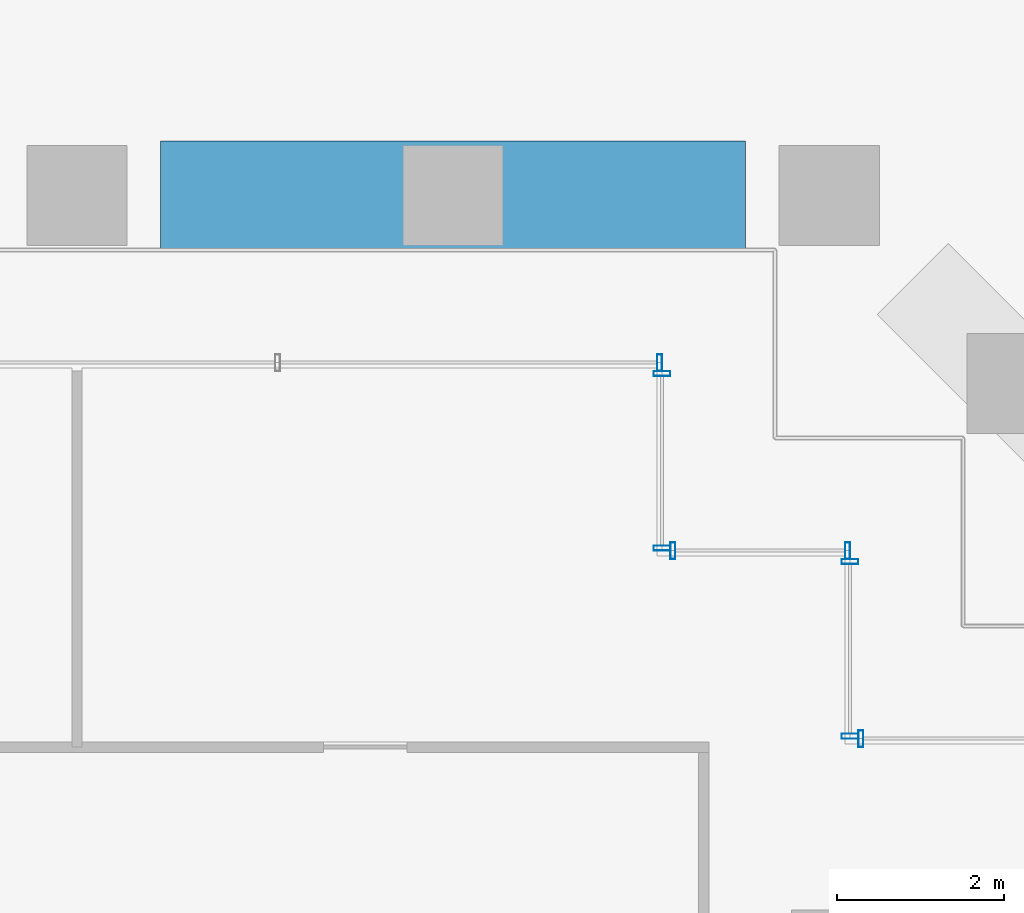
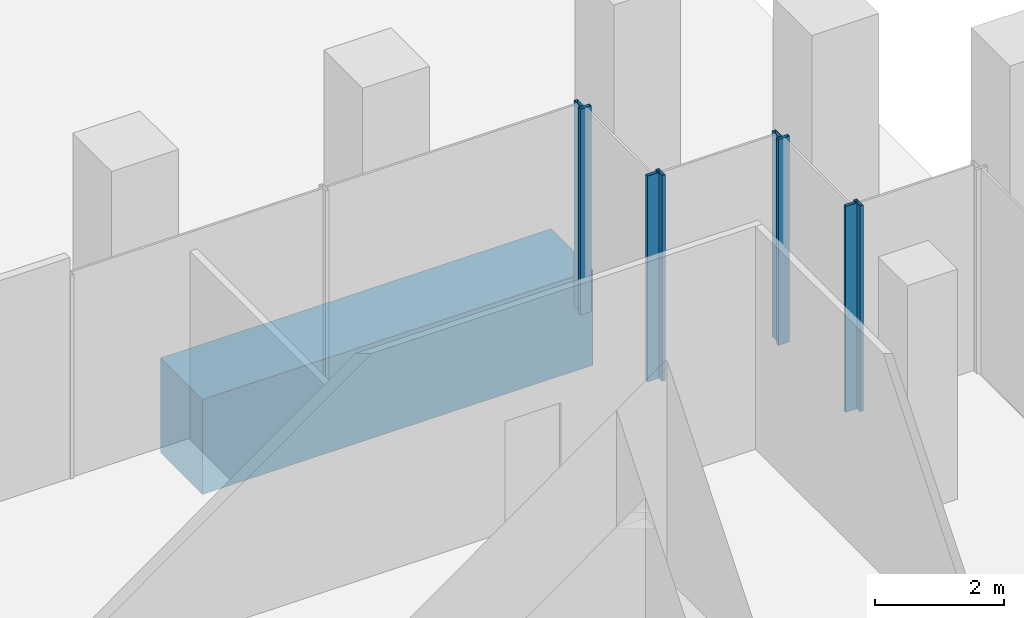
# One storey, part 20 of 32: 8 members, 1 beam, 5 elements without a shape of their own.
"""IFC4 building model written with IfcOpenShell, lengths in metres."""

from ifc_helpers import new_model, si_unit, direction, frame, origin, origin_2d, place, context, subcontext, project, spatial, rectangle, hollow_rectangle, extrude, material, material_profile, profile_set, type_object, element, aggregate, save


model = new_model("IFC4")

# Units and contexts
model_context = context("Model", 3, precision=1e-05, world=origin(), true_north=direction((0.0, 1.0)))
body_context = subcontext(model_context, "Body", "Model", "MODEL_VIEW")
ifc_project = project(units=[si_unit("LENGTHUNIT", "METRE"), si_unit("AREAUNIT", "SQUARE_METRE"), si_unit("VOLUMEUNIT", "CUBIC_METRE"), si_unit("PLANEANGLEUNIT", "RADIAN"), si_unit("MASSUNIT", "GRAM", prefix="KILO")], contexts=[model_context])

# Site, building, storey
site_placement = place(None, origin())
site = spatial("IfcSite", under=ifc_project, at=site_placement, CompositionType="ELEMENT")
building_placement = place(site_placement, origin())
building = spatial("IfcBuilding", under=site, at=building_placement, Name="Altepetl Exchange Towers", CompositionType="ELEMENT")
storey_placement = place(building_placement, frame((0.0, 0.0, 21.0)))
storey = spatial("IfcBuildingStorey", under=building, at=storey_placement, Name="L04", CompositionType="ELEMENT", Elevation=21.0)

# Curtain wall, member
ifc_material_1 = material(Name="Aluminium 6063-T6 glazing", Category="aluminium")
curtain_wall_type = type_object("IfcCurtainWallType", Name="Trading floor glazing system", PredefinedType="NOTDEFINED", material=ifc_material_1)
curtain_wall_1_placement = place(storey_placement, origin())
curtain_wall_1 = element("IfcCurtainWall", 1, at=curtain_wall_1_placement, inside=storey, type_object=curtain_wall_type, Name="CW2 run", PredefinedType="NOTDEFINED")
ifc_material_2 = material(Name="Aluminium 6063-T6", Category="aluminium")
ifc_material_profile_1 = material_profile(ifc_material_2, hollow_rectangle(XDim=0.06005859375, YDim=0.199951171875, WallThickness=0.0029296875, at=origin_2d()), Name="Mullion 60x200 aluminium")
ifc_profile_set_1 = profile_set([ifc_material_profile_1], Name="Aluminium 6063-T6")
member_type = type_object("IfcMemberType", Name="Mullion 60x200 aluminium", PredefinedType="MULLION", material=ifc_profile_set_1)
member_1_placement = place(storey_placement, frame((121.8798828125, 52.0, 0.0), z_axis=(0.0, 0.0, 1.0), x_axis=(-1.0, 0.0, 0.0)))
member_1 = element("IfcMember", 2, at=member_1_placement, type_object=member_type, Name="MU2 mullion", PredefinedType="MULLION", context=body_context, shape_type="SweptSolid", body=[
    extrude(hollow_rectangle(XDim=0.06005859375, YDim=0.199951171875, WallThickness=0.0029296875, at=origin_2d()), origin(), (0.0, 0.0, 1.0), 3.89990234375),
])
aggregate(curtain_wall_1, [member_1])

# Curtain wall, members
curtain_wall_2_placement = place(storey_placement, origin())
curtain_wall_2 = element("IfcCurtainWall", 3, at=curtain_wall_2_placement, inside=storey, type_object=curtain_wall_type, Name="CW2 run", PredefinedType="NOTDEFINED")
member_2_placement = place(storey_placement, frame((121.75, 52.030029296875, 0.0), z_axis=(0.0, 0.0, 1.0), x_axis=(0.0, 1.0, 0.0)))
member_2 = element("IfcMember", 4, at=member_2_placement, type_object=member_type, Name="MU2 mullion", PredefinedType="MULLION", context=body_context, shape_type="SweptSolid", body=[
    extrude(hollow_rectangle(XDim=0.06005859375, YDim=0.199951171875, WallThickness=0.0029296875, at=origin_2d()), origin(), (0.0, 0.0, 1.0), 3.89990234375),
])
member_3_placement = place(storey_placement, frame((121.75, 54.1201171875, 0.0), z_axis=(0.0, 0.0, 1.0), x_axis=(0.0, 1.0, 0.0)))
member_3 = element("IfcMember", 5, at=member_3_placement, type_object=member_type, Name="MU2 mullion", PredefinedType="MULLION", context=body_context, shape_type="SweptSolid", body=[
    extrude(hollow_rectangle(XDim=0.06005859375, YDim=0.199951171875, WallThickness=0.0029296875, at=origin_2d()), origin(), (0.0, 0.0, 1.0), 3.89990234375),
])
aggregate(curtain_wall_2, [member_2, member_3])

curtain_wall_3_placement = place(storey_placement, origin())
curtain_wall_3 = element("IfcCurtainWall", 6, at=curtain_wall_3_placement, inside=storey, type_object=curtain_wall_type, Name="CW2 run", PredefinedType="NOTDEFINED")
member_4_placement = place(storey_placement, frame((121.719970703125, 54.25, 0.0), z_axis=(0.0, 0.0, 1.0), x_axis=(-1.0, 0.0, 0.0)))
member_4 = element("IfcMember", 7, at=member_4_placement, type_object=member_type, Name="MU2 mullion", PredefinedType="MULLION", context=body_context, shape_type="SweptSolid", body=[
    extrude(hollow_rectangle(XDim=0.06005859375, YDim=0.199951171875, WallThickness=0.0029296875, at=origin_2d()), origin(), (0.0, 0.0, 1.0), 3.89990234375),
])
member_5_placement = place(storey_placement, frame((119.6298828125, 54.25, 0.0), z_axis=(0.0, 0.0, 1.0), x_axis=(-1.0, 0.0, 0.0)))
member_5 = element("IfcMember", 8, at=member_5_placement, type_object=member_type, Name="MU2 mullion", PredefinedType="MULLION", context=body_context, shape_type="SweptSolid", body=[
    extrude(hollow_rectangle(XDim=0.06005859375, YDim=0.199951171875, WallThickness=0.0029296875, at=origin_2d()), origin(), (0.0, 0.0, 1.0), 3.89990234375),
])
aggregate(curtain_wall_3, [member_4, member_5])

curtain_wall_4_placement = place(storey_placement, origin())
curtain_wall_4 = element("IfcCurtainWall", 9, at=curtain_wall_4_placement, inside=storey, type_object=curtain_wall_type, Name="CW2 run", PredefinedType="NOTDEFINED")
member_6_placement = place(storey_placement, frame((119.5, 54.280029296875, 0.0), z_axis=(0.0, 0.0, 1.0), x_axis=(0.0, 1.0, 0.0)))
member_6 = element("IfcMember", 10, at=member_6_placement, type_object=member_type, Name="MU2 mullion", PredefinedType="MULLION", context=body_context, shape_type="SweptSolid", body=[
    extrude(hollow_rectangle(XDim=0.06005859375, YDim=0.199951171875, WallThickness=0.0029296875, at=origin_2d()), origin(), (0.0, 0.0, 1.0), 3.89990234375),
])
member_7_placement = place(storey_placement, frame((119.5, 56.3701171875, 0.0), z_axis=(0.0, 0.0, 1.0), x_axis=(0.0, 1.0, 0.0)))
member_7 = element("IfcMember", 11, at=member_7_placement, type_object=member_type, Name="MU2 mullion", PredefinedType="MULLION", context=body_context, shape_type="SweptSolid", body=[
    extrude(hollow_rectangle(XDim=0.06005859375, YDim=0.199951171875, WallThickness=0.0029296875, at=origin_2d()), origin(), (0.0, 0.0, 1.0), 3.89990234375),
])
aggregate(curtain_wall_4, [member_6, member_7])

# Curtain wall, member
curtain_wall_5_placement = place(storey_placement, origin())
curtain_wall_5 = element("IfcCurtainWall", 12, at=curtain_wall_5_placement, inside=storey, type_object=curtain_wall_type, Name="CW2 run", PredefinedType="NOTDEFINED")
member_8_placement = place(storey_placement, frame((119.469970703125, 56.5, 0.0), z_axis=(0.0, 0.0, 1.0), x_axis=(-1.0, 0.0, 0.0)))
member_8 = element("IfcMember", 13, at=member_8_placement, type_object=member_type, Name="MU2 mullion", PredefinedType="MULLION", context=body_context, shape_type="SweptSolid", body=[
    extrude(hollow_rectangle(XDim=0.06005859375, YDim=0.199951171875, WallThickness=0.0029296875, at=origin_2d()), origin(), (0.0, 0.0, 1.0), 3.89990234375),
])
aggregate(curtain_wall_5, [member_8])

# Beam
ifc_material_3 = material(Name="Concrete C60/75", Category="concrete")
ifc_material_profile_2 = material_profile(ifc_material_3, rectangle(XDim=1.300048828125, YDim=1.800048828125, at=origin_2d()), Name="1300 x 1800")
ifc_profile_set_2 = profile_set([ifc_material_profile_2], Name="Concrete C60/75")
beam_type = type_object("IfcBeamType", Name="Transfer girder 1300x1800", PredefinedType="BEAM", material=ifc_profile_set_2)
beam_placement = place(storey_placement, frame((113.5, 58.5, -1.35009765625), z_axis=(1.0, 0.0, 0.0), x_axis=(0.0, 1.0, 0.0)))
element("IfcBeam", 14, at=beam_placement, inside=storey, type_object=beam_type, Name="bm:B:L04:tg05", PredefinedType="BEAM", context=body_context, shape_type="SweptSolid", body=[
    extrude(rectangle(XDim=1.300048828125, YDim=1.800048828125, at=origin_2d()), origin(), (0.0, 0.0, 1.0), 7.0),
])

save(model, "model.ifc")
